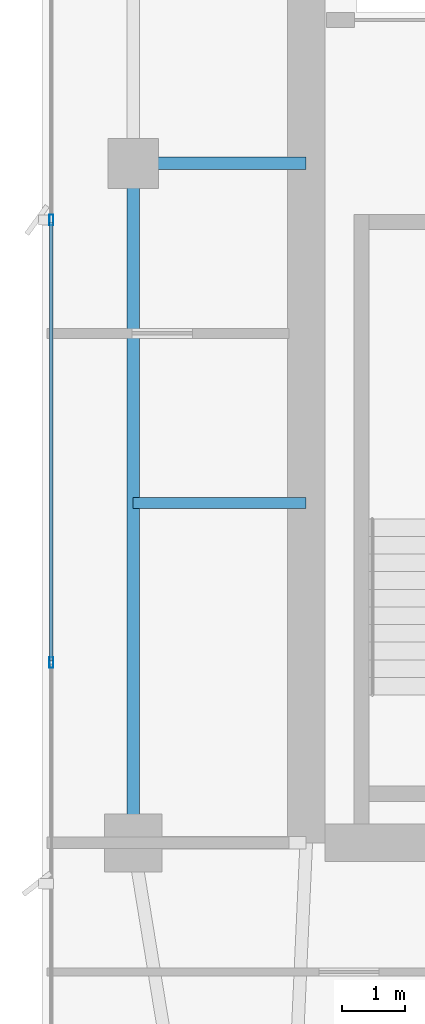
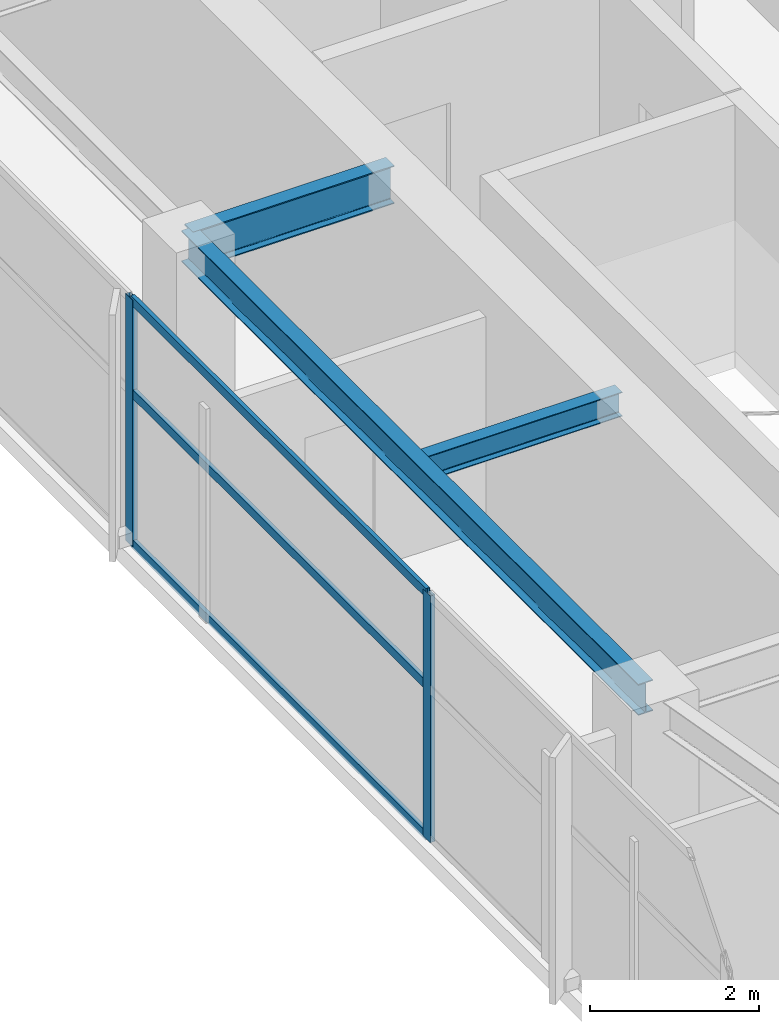
# One storey, part 10 of 27: 5 members, 3 beams, 1 element without a shape of its own.
"""IFC4 building model written with IfcOpenShell, lengths in metres."""

import ifcopenshell
import ifcopenshell.guid

model = None  # the IFC model being written
_history = None  # IfcOwnerHistory: only IFC2X3 demands one
_inside = {}  # id of a spatial element -> (the spatial element, [elements in it])
_under = {}  # id of a project, library or spatial element -> (it, [spatial elements below it])
_declared = {}  # id of a project -> (the project, [libraries it declares])
_typed = {}  # id of a type object -> (the type object, [elements of that type])
_made_of = {}  # id of a material, layer set ... -> (it, [elements and type objects made of it])


def new_model(schema):
    """Start an empty IFC model of exactly this schema.

    Asked for "IFC4X3", IfcOpenShell would pick the latest addendum, in which some entities
    have other attributes; the version numbers below select the first issue.
    IFC2X3 requires an IfcOwnerHistory on every rooted entity: one is made here for all.
    """
    global model, _history
    if schema == "IFC4X3":
        model = ifcopenshell.file(schema_version=(4, 3, 0, 0))
    else:
        model = ifcopenshell.file(schema=schema)
    _inside.clear()
    _under.clear()
    _declared.clear()
    _typed.clear()
    _made_of.clear()
    _history = None
    if model.schema == "IFC2X3":
        org = make("IfcOrganization", Name="unknown")
        user = make(
            "IfcPersonAndOrganization",
            ThePerson=make("IfcPerson", FamilyName="unknown"),
            TheOrganization=org,
        )
        app = make(
            "IfcApplication",
            ApplicationDeveloper=org,
            Version="unknown",
            ApplicationFullName="unknown",
            ApplicationIdentifier="unknown",
        )
        _history = make(
            "IfcOwnerHistory",
            OwningUser=user,
            OwningApplication=app,
            ChangeAction="ADDED",
            CreationDate=0,
        )
    return model


def make(cls, **values):
    """One entity of the class cls with the attributes given. An attribute that is None is left unset."""
    return model.create_entity(
        cls, **{name: value for name, value in values.items() if value is not None}
    )


def rooted(cls, **values):
    """An entity with a GlobalId (a new one), such as an element, a storey or a relation."""
    return make(cls, GlobalId=ifcopenshell.guid.new(), OwnerHistory=_history, **values)


def si_unit(unit_type, name, prefix=None):
    """IfcSIUnit, for example si_unit("LENGTHUNIT", "METRE", prefix="MILLI")."""
    return make("IfcSIUnit", UnitType=unit_type, Prefix=prefix, Name=name)


def assignment(units):
    """IfcUnitAssignment: the units of a project."""
    return None if units is None else make("IfcUnitAssignment", Units=units)


def point(xyz):
    """IfcCartesianPoint."""
    return None if xyz is None else make("IfcCartesianPoint", Coordinates=xyz)


def direction(xyz):
    """IfcDirection."""
    return None if xyz is None else make("IfcDirection", DirectionRatios=xyz)


def frame(location, z_axis=None, x_axis=None):
    """IfcAxis2Placement3D, a coordinate frame: its origin and axes. An axis left out is left unset."""
    return make(
        "IfcAxis2Placement3D",
        Location=point(location),
        Axis=direction(z_axis),
        RefDirection=direction(x_axis),
    )


def frame_2d(location, x_axis=None):
    """IfcAxis2Placement2D, a coordinate frame in the plane: its origin and x axis."""
    return make(
        "IfcAxis2Placement2D", Location=point(location), RefDirection=direction(x_axis)
    )


def origin():
    """The frame at (0, 0, 0) with its axes left unset."""
    return frame((0.0, 0.0, 0.0))


def origin_2d():
    """The frame at (0, 0) in the plane with its x axis left unset."""
    return frame_2d((0.0, 0.0))


def place(relative_to, where):
    """IfcLocalPlacement: puts the frame where relative to a parent placement (None: the world)."""
    return make(
        "IfcLocalPlacement", PlacementRelTo=relative_to, RelativePlacement=where
    )


def context(
    kind, dimensions, precision=None, world=None, true_north=None, identifier=None
):
    """IfcGeometricRepresentationContext, for example the 3D "Model" context."""
    return make(
        "IfcGeometricRepresentationContext",
        ContextIdentifier=identifier,
        ContextType=kind,
        CoordinateSpaceDimension=dimensions,
        Precision=precision,
        WorldCoordinateSystem=world,
        TrueNorth=true_north,
    )


def subcontext(parent, identifier, kind, view, scale=None):
    """IfcGeometricRepresentationSubContext, for example "Body" below "Model"."""
    return make(
        "IfcGeometricRepresentationSubContext",
        ContextIdentifier=identifier,
        ContextType=kind,
        ParentContext=parent,
        TargetScale=scale,
        TargetView=view,
    )


def project(units=None, contexts=None):
    """IfcProject with its units and contexts."""
    return rooted(
        "IfcProject",
        Name="project",
        RepresentationContexts=contexts,
        UnitsInContext=assignment(units),
    )


def spatial(cls, under=None, at=None, **own):
    """A site, building, storey or space (cls), placed at a placement, below another one or the project."""
    s = rooted(cls, ObjectPlacement=at, **own)
    if under is not None:
        _under.setdefault(under.id(), (under, []))[1].append(s)
    return s


def profile(cls, at=None, kind="AREA", **sizes):
    """A parametric profile (cls). Its sizes go by their IFC names, for example OverallWidth=200.0."""
    return make(cls, ProfileType=kind, Position=at, **sizes)


def hollow_rectangle(**sizes):
    """IfcRectangleHollowProfileDef."""
    return profile("IfcRectangleHollowProfileDef", **sizes)


def i_section(**sizes):
    """IfcIShapeProfileDef."""
    return profile("IfcIShapeProfileDef", **sizes)


def extrude(swept, where, along, depth):
    """IfcExtrudedAreaSolid: the profile swept, set in the frame where, extruded along a direction by depth."""
    return make(
        "IfcExtrudedAreaSolid",
        SweptArea=swept,
        Position=where,
        ExtrudedDirection=direction(along),
        Depth=depth,
    )


def shape(context_of_items, identifier, shape_type, items):
    """IfcShapeRepresentation: the items that make up one representation, for example the "Body"."""
    return make(
        "IfcShapeRepresentation",
        ContextOfItems=context_of_items,
        RepresentationIdentifier=identifier,
        RepresentationType=shape_type,
        Items=items,
    )


def material(Name=None, Category=None):
    """IfcMaterial."""
    return make("IfcMaterial", Name=Name, Category=Category)


def layer(
    of_material, thickness, ventilated=None, Name=None, Category=None, Priority=None
):
    """IfcMaterialLayer: one layer of a wall or slab, of a material (None: an air gap)."""
    return make(
        "IfcMaterialLayer",
        Material=of_material,
        LayerThickness=thickness,
        IsVentilated=ventilated,
        Name=Name,
        Category=Category,
        Priority=Priority,
    )


def layer_set(layers, Name=None):
    """IfcMaterialLayerSet."""
    return make("IfcMaterialLayerSet", MaterialLayers=layers, LayerSetName=Name)


def material_profile(
    of_material, cross_section, Name=None, Category=None, Priority=None
):
    """IfcMaterialProfile: a cross section and its material."""
    return make(
        "IfcMaterialProfile",
        Name=Name,
        Material=of_material,
        Profile=cross_section,
        Priority=Priority,
        Category=Category,
    )


def profile_set(profiles, Name=None, composite=None):
    """IfcMaterialProfileSet."""
    return make(
        "IfcMaterialProfileSet",
        Name=Name,
        MaterialProfiles=profiles,
        CompositeProfile=composite,
    )


def made_of(thing, what):
    """Note that an element or type object is made of a material, layer set ...; save() writes the relation."""
    if what is not None:
        _made_of.setdefault(what.id(), (what, []))[1].append(thing)
    return thing


def type_object(cls, material=None, **own):
    """A type object (cls), such as IfcWallType, which elements share."""
    return made_of(rooted(cls, **own), material)


def element(
    cls,
    number,
    at=None,
    inside=None,
    cuts=None,
    type_object=None,
    material=None,
    context=None,
    identifier="Body",
    shape_type=None,
    held_by="IfcProductDefinitionShape",
    body=None,
    shapes=None,
    **own,
):
    """One element of the class cls, such as IfcWall. Its Tag is "e" and its number.

    at: its placement. inside: the storey or other place that contains it. cuts: it is an
    opening in that element (IfcRelVoidsElement). A single representation is given by context,
    identifier, shape_type and body (its items); several are given by shapes. held_by: the class
    of the entity that holds the representations. save() writes the other relations.
    """
    e = rooted(cls, Tag="e%d" % number, ObjectPlacement=at, **own)
    if body is not None:
        shapes = [shape(context, identifier, shape_type, body)]
    if shapes is not None:
        e.Representation = make(held_by, Representations=shapes)
    if inside is not None:
        _inside.setdefault(inside.id(), (inside, []))[1].append(e)
    if cuts is not None:
        rooted(
            "IfcRelVoidsElement", RelatingBuildingElement=cuts, RelatedOpeningElement=e
        )
    if type_object is not None:
        _typed.setdefault(type_object.id(), (type_object, []))[1].append(e)
    return made_of(e, material)


def aggregate(whole, parts):
    """IfcRelAggregates: a whole, such as a stair, and the parts it consists of."""
    return rooted("IfcRelAggregates", RelatingObject=whole, RelatedObjects=parts)


def save(model, path):
    """Write the relations noted so far, then the file.

    IfcRelAggregates (storeys below a building ...), IfcRelContainedInSpatialStructure (elements
    in a storey), IfcRelDefinesByType, IfcRelAssociatesMaterial and IfcRelDeclares: one each for
    every whole, place, type object, material and project.
    """
    for whole, parts in _under.values():
        aggregate(whole, parts)
    for where, things in _inside.values():
        rooted(
            "IfcRelContainedInSpatialStructure",
            RelatedElements=things,
            RelatingStructure=where,
        )
    for kind, things in _typed.values():
        rooted("IfcRelDefinesByType", RelatedObjects=things, RelatingType=kind)
    for what, things in _made_of.values():
        rooted("IfcRelAssociatesMaterial", RelatedObjects=things, RelatingMaterial=what)
    for by, libraries in _declared.values():
        rooted("IfcRelDeclares", RelatingContext=by, RelatedDefinitions=libraries)
    model.write(path)


model = new_model("IFC4")

# Units and contexts
model_context = context("Model", 3, precision=1e-05, world=origin(), true_north=direction((0.0, 1.0)))
body_context = subcontext(model_context, "Body", "Model", "MODEL_VIEW")
ifc_project = project(units=[si_unit("LENGTHUNIT", "METRE"), si_unit("AREAUNIT", "SQUARE_METRE"), si_unit("VOLUMEUNIT", "CUBIC_METRE"), si_unit("PLANEANGLEUNIT", "RADIAN"), si_unit("MASSUNIT", "GRAM", prefix="KILO")], contexts=[model_context])

# Site, building, storey
site_placement = place(None, origin())
site = spatial("IfcSite", under=ifc_project, at=site_placement, CompositionType="ELEMENT")
building_placement = place(site_placement, origin())
building = spatial("IfcBuilding", under=site, at=building_placement, Name="Calvorn Quay Hotel", CompositionType="ELEMENT")
storey_placement = place(building_placement, frame((0.0, 0.0, 294.89990234375)))
storey = spatial("IfcBuildingStorey", under=building, at=storey_placement, Name="L73", CompositionType="ELEMENT", Elevation=294.89990234375)

# Beams
ifc_material_1 = material(Name="Steel Q355B", Category="steel")
ifc_material_profile_1 = material_profile(ifc_material_1, i_section(OverallWidth=0.199951171875, OverallDepth=0.550048828125, WebThickness=0.010009765625, FlangeThickness=0.01611328125, FilletRadius=0.01806640625, at=origin_2d()), Name="HN550x200x10x16")
ifc_profile_set_1 = profile_set([ifc_material_profile_1], Name="Steel Q355B")
beam_type_1 = type_object("IfcBeamType", Name="BM-GIRD-UPP", PredefinedType="BEAM", material=ifc_profile_set_1)
beam_1_placement = place(storey_placement, frame((1.449951171875, 27.60009765625, 3.26513671875), z_axis=(1.0, 0.0, 0.0), x_axis=(0.0, 1.0, 0.0)))
element("IfcBeam", 1, at=beam_1_placement, inside=storey, type_object=beam_type_1, Name="Beam BG-L73-W2", PredefinedType="BEAM", context=body_context, shape_type="SweptSolid", body=[
    extrude(i_section(OverallWidth=0.199951171875, OverallDepth=0.550048828125, WebThickness=0.010009765625, FlangeThickness=0.01611328125, FilletRadius=0.01806640625, at=origin_2d()), origin(), (0.0, 0.0, 1.0), 2.75),
])
ifc_material_2 = material(Name="Steel Q355B", Category="steel")
ifc_material_profile_2 = material_profile(ifc_material_2, i_section(OverallWidth=0.175048828125, OverallDepth=0.35009765625, WebThickness=0.007080078125, FlangeThickness=0.010986328125, FilletRadius=0.013916015625, at=origin_2d()), Name="HN350x175x7x11")
ifc_profile_set_2 = profile_set([ifc_material_profile_2], Name="Steel Q355B")
beam_type_2 = type_object("IfcBeamType", Name="BM-JOIST-SEC", PredefinedType="JOIST", material=ifc_profile_set_2)
beam_2_placement = place(storey_placement, frame((1.449951171875, 22.199951171875, 3.364990234375), z_axis=(1.0, 0.0, 0.0), x_axis=(0.0, 1.0, 0.0)))
element("IfcBeam", 2, at=beam_2_placement, inside=storey, type_object=beam_type_2, Name="Beam BJ-L73-W3", PredefinedType="JOIST", context=body_context, shape_type="SweptSolid", body=[
    extrude(i_section(OverallWidth=0.175048828125, OverallDepth=0.35009765625, WebThickness=0.007080078125, FlangeThickness=0.010986328125, FilletRadius=0.013916015625, at=origin_2d()), origin(), (0.0, 0.0, 1.0), 2.75),
])
ifc_material_3 = material(Name="Steel Q355B", Category="steel")
ifc_material_profile_3 = material_profile(ifc_material_3, i_section(OverallWidth=0.199951171875, OverallDepth=0.449951171875, WebThickness=0.009033203125, FlangeThickness=0.013916015625, FilletRadius=0.01611328125, at=origin_2d()), Name="HN450x200x9x14")
ifc_profile_set_3 = profile_set([ifc_material_profile_3], Name="Steel Q355B")
beam_type_3 = type_object("IfcBeamType", Name="BM-SPANDREL-Z3", PredefinedType="SPANDREL", material=ifc_profile_set_3)
beam_3_placement = place(storey_placement, frame((1.449951171875, 16.800048828125, 3.315185546875), z_axis=(0.0, 1.0, 0.0), x_axis=(-1.0, 0.0, 0.0)))
element("IfcBeam", 3, at=beam_3_placement, inside=storey, type_object=beam_type_3, Name="Beam BSP-L73-W2", PredefinedType="SPANDREL", context=body_context, shape_type="SweptSolid", body=[
    extrude(i_section(OverallWidth=0.199951171875, OverallDepth=0.449951171875, WebThickness=0.009033203125, FlangeThickness=0.013916015625, FilletRadius=0.01611328125, at=origin_2d()), origin(), (0.0, 0.0, 1.0), 10.800048828125),
])

# Curtain wall, members
ifc_material_4 = material(Name="Champagne Bronze Anodised Aluminium and Low-E Glass", Category="aluminium")
ifc_layer = layer(ifc_material_4, 0.219970703125)
ifc_layer_set = layer_set([ifc_layer], Name="CW-SYS-Z4")
curtain_wall_type = type_object("IfcCurtainWallType", Name="CW-SYS-Z4", PredefinedType="NOTDEFINED", material=ifc_layer_set)
curtain_wall_placement = place(storey_placement, origin())
curtain_wall = element("IfcCurtainWall", 4, at=curtain_wall_placement, inside=storey, type_object=curtain_wall_type, Name="Tower West Curtain Wall (L73)", PredefinedType="NOTDEFINED")
ifc_material_5 = material(Name="Champagne Bronze Anodised Aluminium 6063-T6", Category="aluminium")
ifc_material_profile_4 = material_profile(ifc_material_5, hollow_rectangle(XDim=0.06494140625, YDim=0.169921875, WallThickness=0.00341796875, at=origin_2d()), Name="ALU-M170x65x3.5")
ifc_profile_set_4 = profile_set([ifc_material_profile_4], Name="Champagne Bronze Anodised Aluminium 6063-T6")
member_type_1 = type_object("IfcMemberType", Name="CW-SYS-Z4-MUL", PredefinedType="MULLION", material=ifc_profile_set_4)
member_1_placement = place(storey_placement, frame((0.14990234375, 19.666748046875, 0.0), z_axis=(0.0, 0.0, 1.0), x_axis=(-1.0, 0.0, 0.0)))
member_1 = element("IfcMember", 5, at=member_1_placement, type_object=member_type_1, Name="CW-L73-W mullion 3", PredefinedType="MULLION", context=body_context, shape_type="SweptSolid", body=[
    extrude(hollow_rectangle(XDim=0.06494140625, YDim=0.169921875, WallThickness=0.00341796875, at=origin_2d()), origin(), (0.0, 0.0, 1.0), 3.56005859375),
])
member_2_placement = place(storey_placement, frame((0.14990234375, 26.699951171875, 0.0), z_axis=(0.0, 0.0, 1.0), x_axis=(-1.0, 0.0, 0.0)))
member_2 = element("IfcMember", 6, at=member_2_placement, type_object=member_type_1, Name="CW-L73-W mullion 4", PredefinedType="MULLION", context=body_context, shape_type="SweptSolid", body=[
    extrude(hollow_rectangle(XDim=0.06494140625, YDim=0.169921875, WallThickness=0.00341796875, at=origin_2d()), origin(), (0.0, 0.0, 1.0), 3.56005859375),
])
ifc_material_6 = material(Name="Champagne Bronze Anodised Aluminium 6063-T6", Category="aluminium")
ifc_material_profile_5 = material_profile(ifc_material_6, hollow_rectangle(XDim=0.054931640625, YDim=0.1298828125, WallThickness=0.003173828125, at=origin_2d()), Name="ALU-T130x55x3.2")
ifc_profile_set_5 = profile_set([ifc_material_profile_5], Name="Champagne Bronze Anodised Aluminium 6063-T6")
member_type_2 = type_object("IfcMemberType", Name="CW-SYS-Z4-TRN", PredefinedType="USERDEFINED", material=ifc_profile_set_5)
member_3_placement = place(storey_placement, frame((0.14990234375, 19.69677734375, 0.030029296875), z_axis=(0.0, 1.0, 0.0), x_axis=(-1.0, 0.0, 0.0)))
member_3 = element("IfcMember", 7, at=member_3_placement, type_object=member_type_2, Name="CW-L73-W transom 3.1", ObjectType="TRANSOM", PredefinedType="USERDEFINED", context=body_context, shape_type="SweptSolid", body=[
    extrude(hollow_rectangle(XDim=0.054931640625, YDim=0.1298828125, WallThickness=0.003173828125, at=origin_2d()), origin(), (0.0, 0.0, 1.0), 6.97314453125),
])
member_4_placement = place(storey_placement, frame((0.14990234375, 19.69677734375, 2.2001953125), z_axis=(0.0, 1.0, 0.0), x_axis=(-1.0, 0.0, 0.0)))
member_4 = element("IfcMember", 8, at=member_4_placement, type_object=member_type_2, Name="CW-L73-W transom 3.2", ObjectType="TRANSOM", PredefinedType="USERDEFINED", context=body_context, shape_type="SweptSolid", body=[
    extrude(hollow_rectangle(XDim=0.054931640625, YDim=0.1298828125, WallThickness=0.003173828125, at=origin_2d()), origin(), (0.0, 0.0, 1.0), 6.97314453125),
])
member_5_placement = place(storey_placement, frame((0.14990234375, 19.69677734375, 3.530029296875), z_axis=(0.0, 1.0, 0.0), x_axis=(-1.0, 0.0, 0.0)))
member_5 = element("IfcMember", 9, at=member_5_placement, type_object=member_type_2, Name="CW-L73-W transom 3.3", ObjectType="TRANSOM", PredefinedType="USERDEFINED", context=body_context, shape_type="SweptSolid", body=[
    extrude(hollow_rectangle(XDim=0.054931640625, YDim=0.1298828125, WallThickness=0.003173828125, at=origin_2d()), origin(), (0.0, 0.0, 1.0), 6.97314453125),
])
aggregate(curtain_wall, [member_1, member_2, member_3, member_4, member_5])

save(model, "model.ifc")
